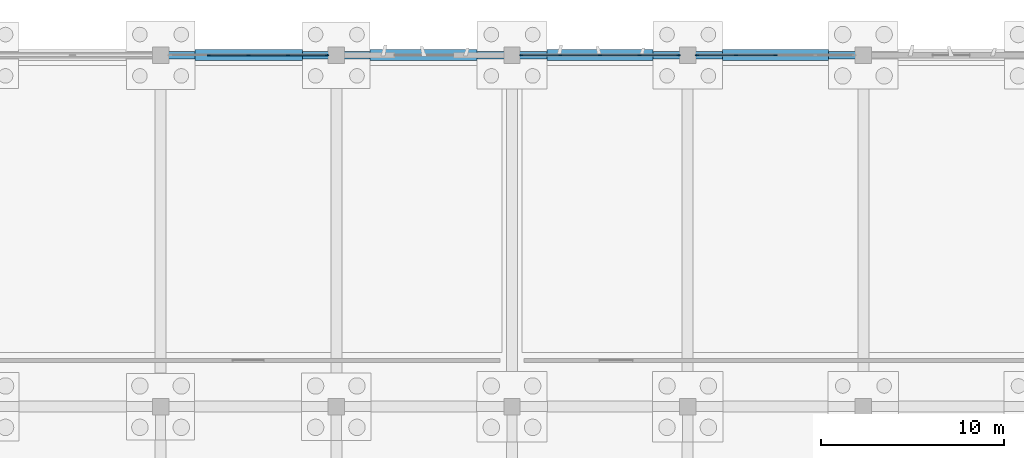
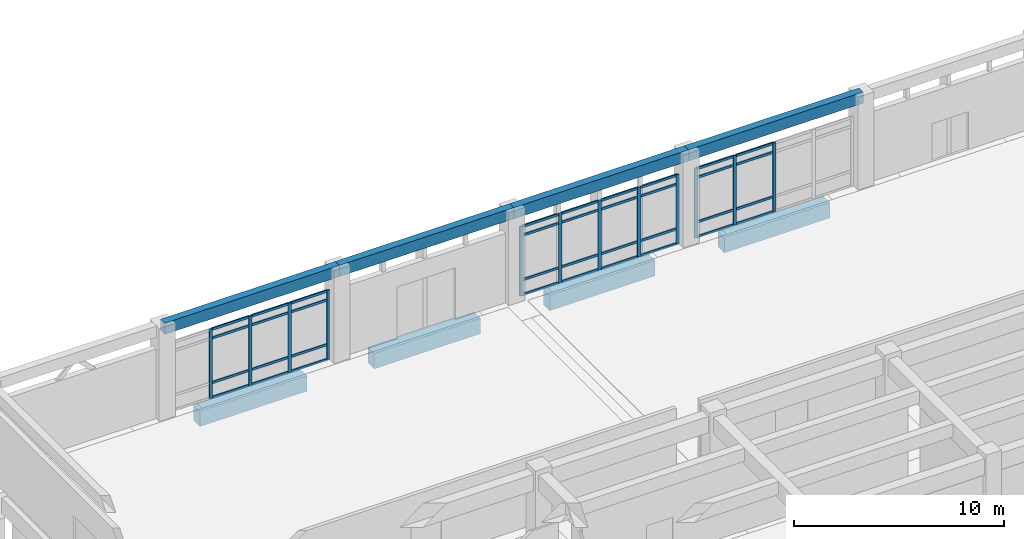
# One storey, part 36 of 102: 48 members, 8 beams, 3 elements without a shape of their own.
"""IFC4 building model written with IfcOpenShell, lengths in metres."""

from ifc_helpers import new_model, si_unit, direction, frame, origin, origin_2d, place, context, subcontext, project, spatial, rectangle, extrude, material, layer, layer_set, material_profile, profile_set, type_object, element, aggregate, save


model = new_model("IFC4")

# Units and contexts
model_context = context("Model", 3, precision=1e-05, world=origin(), true_north=direction((0.0, 1.0)))
body_context = subcontext(model_context, "Body", "Model", "MODEL_VIEW")
ifc_project = project(units=[si_unit("LENGTHUNIT", "METRE"), si_unit("AREAUNIT", "SQUARE_METRE"), si_unit("VOLUMEUNIT", "CUBIC_METRE"), si_unit("PLANEANGLEUNIT", "RADIAN"), si_unit("MASSUNIT", "GRAM", prefix="KILO")], contexts=[model_context])

# Site, building, storey
site_placement = place(None, origin())
site = spatial("IfcSite", under=ifc_project, at=site_placement, CompositionType="ELEMENT")
building_placement = place(site_placement, origin())
building = spatial("IfcBuilding", under=site, at=building_placement, Name="Kolvemor Railside Polytechnic", CompositionType="ELEMENT")
storey_placement = place(building_placement, origin())
storey = spatial("IfcBuildingStorey", under=building, at=storey_placement, Name="L00", CompositionType="ELEMENT", Elevation=0.0)

# Beams
ifc_material_1 = material(Name="Concrete C40/50", Category="concrete")
ifc_material_profile_1 = material_profile(ifc_material_1, rectangle(XDim=0.39990234375, YDim=0.64990234375, at=origin_2d()), Name="RC400x650")
ifc_profile_set_1 = profile_set([ifc_material_profile_1], Name="Concrete C40/50")
beam_type_1 = type_object("IfcBeamType", Name="BM-RC-EDGE", PredefinedType="LINTEL", material=ifc_profile_set_1)
beam_1_placement = place(storey_placement, frame((28.800048828125, 120.0, 5.074951171875), z_axis=(1.0, 0.0, 0.0), x_axis=(0.0, 1.0, 0.0)))
element("IfcBeam", 1, at=beam_1_placement, inside=storey, type_object=beam_type_1, Name="Workshop L01 Spandrel 2010", PredefinedType="LINTEL", context=body_context, shape_type="SweptSolid", body=[
    extrude(rectangle(XDim=0.39990234375, YDim=0.64990234375, at=origin_2d()), origin(), (0.0, 0.0, 1.0), 9.599853515625),
])
for number, where, z_axis, x_axis, name in (
    (2, (38.39990234375, 120.0, 5.074951171875), (1.0, 0.0, 0.0), (0.0, 1.0, 0.0), "Workshop L01 Spandrel 2011"),
    (3, (48.0, 120.0, 5.074951171875), (1.0, 0.0, 0.0), (0.0, 1.0, 0.0), "Workshop L01 Spandrel 2012"),
):
    element("IfcBeam", number, at=place(storey_placement, frame(where, z_axis=z_axis, x_axis=x_axis)), inside=storey, type_object=beam_type_1, Name=name, PredefinedType="LINTEL", context=body_context, shape_type="SweptSolid", body=[
        extrude(rectangle(XDim=0.39990234375, YDim=0.64990234375, at=origin_2d()), origin(), (0.0, 0.0, 1.0), 9.60009765625),
    ])
beam_2_placement = place(storey_placement, frame((57.60009765625, 120.0, 5.074951171875), z_axis=(1.0, 0.0, 0.0), x_axis=(0.0, 1.0, 0.0)))
element("IfcBeam", 4, at=beam_2_placement, inside=storey, type_object=beam_type_1, Name="Workshop L01 Spandrel 2013", PredefinedType="LINTEL", context=body_context, shape_type="SweptSolid", body=[
    extrude(rectangle(XDim=0.39990234375, YDim=0.64990234375, at=origin_2d()), origin(), (0.0, 0.0, 1.0), 9.599853515625),
])
ifc_material_2 = material(Name="Concrete C40/50", Category="concrete")
ifc_material_profile_2 = material_profile(ifc_material_2, rectangle(XDim=0.60009765625, YDim=0.89990234375, at=origin_2d()), Name="RC600x900")
ifc_profile_set_2 = profile_set([ifc_material_profile_2], Name="Concrete C40/50")
beam_type_2 = type_object("IfcBeamType", Name="BM-RC-TIE", PredefinedType="BEAM", material=ifc_profile_set_2)
beam_3_placement = place(storey_placement, frame((30.677001953125, 120.0, -0.75), z_axis=(1.0, 0.0, 0.0), x_axis=(0.0, 1.0, 0.0)))
element("IfcBeam", 5, at=beam_3_placement, inside=storey, type_object=beam_type_2, Name="Ground Tie Beam GTB-X215", PredefinedType="BEAM", context=body_context, shape_type="SweptSolid", body=[
    extrude(rectangle(XDim=0.60009765625, YDim=0.89990234375, at=origin_2d()), origin(), (0.0, 0.0, 1.0), 5.87109375),
])
beam_4_placement = place(storey_placement, frame((40.251953125, 120.0, -0.75), z_axis=(1.0, 0.0, 0.0), x_axis=(0.0, 1.0, 0.0)))
element("IfcBeam", 6, at=beam_4_placement, inside=storey, type_object=beam_type_2, Name="Ground Tie Beam GTB-X216", PredefinedType="BEAM", context=body_context, shape_type="SweptSolid", body=[
    extrude(rectangle(XDim=0.60009765625, YDim=0.89990234375, at=origin_2d()), origin(), (0.0, 0.0, 1.0), 5.845947265625),
])
beam_5_placement = place(storey_placement, frame((49.902099609375, 120.0, -0.75), z_axis=(1.0, 0.0, 0.0), x_axis=(0.0, 1.0, 0.0)))
element("IfcBeam", 7, at=beam_5_placement, inside=storey, type_object=beam_type_2, Name="Ground Tie Beam GTB-X217", PredefinedType="BEAM", context=body_context, shape_type="SweptSolid", body=[
    extrude(rectangle(XDim=0.60009765625, YDim=0.89990234375, at=origin_2d()), origin(), (0.0, 0.0, 1.0), 5.7958984375),
])
beam_6_placement = place(storey_placement, frame((59.501953125, 120.0, -0.75), z_axis=(1.0, 0.0, 0.0), x_axis=(0.0, 1.0, 0.0)))
element("IfcBeam", 8, at=beam_6_placement, inside=storey, type_object=beam_type_2, Name="Ground Tie Beam GTB-X218", PredefinedType="BEAM", context=body_context, shape_type="SweptSolid", body=[
    extrude(rectangle(XDim=0.60009765625, YDim=0.89990234375, at=origin_2d()), origin(), (0.0, 0.0, 1.0), 5.796142578125),
])

# Curtain wall, members
ifc_material_3 = material(Name="Anodised marine aluminium and laminated low-E glass", Category="aluminium")
ifc_layer = layer(ifc_material_3, 0.179931640625, Name="CW-UNIT-WKS")
ifc_layer_set = layer_set([ifc_layer], Name="Anodised marine aluminium and laminated low-E glass")
curtain_wall_type = type_object("IfcCurtainWallType", Name="CW-UNIT-WKS", PredefinedType="USERDEFINED", material=ifc_layer_set)
curtain_wall_1_placement = place(storey_placement, origin())
curtain_wall_1 = element("IfcCurtainWall", 9, at=curtain_wall_1_placement, inside=storey, type_object=curtain_wall_type, Name="Curtain Wall L00-001", ObjectType="UNITISED CURTAIN WALL", PredefinedType="USERDEFINED")
ifc_material_4 = material(Name="Anodised marine aluminium 6063-T6", Category="aluminium")
ifc_material_profile_3 = material_profile(ifc_material_4, rectangle(XDim=0.074951171875, YDim=0.179931640625, at=origin_2d()), Name="CW-MUL-75x180")
ifc_profile_set_3 = profile_set([ifc_material_profile_3], Name="Anodised marine aluminium 6063-T6")
member_type_1 = type_object("IfcMemberType", Name="CWM-75x180", PredefinedType="MULLION", material=ifc_profile_set_3)
member_1_placement = place(storey_placement, frame((37.892578125, 120.0, 0.0), z_axis=(0.0, 0.0, 1.0), x_axis=(0.0, -1.0, 0.0)))
member_1 = element("IfcMember", 10, at=member_1_placement, type_object=member_type_1, Name="CW-WKS mullion 1", PredefinedType="MULLION", context=body_context, shape_type="SweptSolid", body=[
    extrude(rectangle(XDim=0.074951171875, YDim=0.179931640625, at=origin_2d()), origin(), (0.0, 0.0, 1.0), 4.0400390625),
])
member_2_placement = place(storey_placement, frame((35.764892578125, 120.0, 0.0), z_axis=(0.0, 0.0, 1.0), x_axis=(0.0, -1.0, 0.0)))
member_2 = element("IfcMember", 11, at=member_2_placement, type_object=member_type_1, Name="CW-WKS mullion 2", PredefinedType="MULLION", context=body_context, shape_type="SweptSolid", body=[
    extrude(rectangle(XDim=0.074951171875, YDim=0.179931640625, at=origin_2d()), origin(), (0.0, 0.0, 1.0), 4.0400390625),
])
member_3_placement = place(storey_placement, frame((33.60009765625, 120.0, 0.0), z_axis=(0.0, 0.0, 1.0), x_axis=(0.0, -1.0, 0.0)))
member_3 = element("IfcMember", 12, at=member_3_placement, type_object=member_type_1, Name="CW-WKS mullion 3", PredefinedType="MULLION", context=body_context, shape_type="SweptSolid", body=[
    extrude(rectangle(XDim=0.074951171875, YDim=0.179931640625, at=origin_2d()), origin(), (0.0, 0.0, 1.0), 4.0400390625),
])
member_4_placement = place(storey_placement, frame((31.43505859375, 120.0, 0.0), z_axis=(0.0, 0.0, 1.0), x_axis=(0.0, -1.0, 0.0)))
member_4 = element("IfcMember", 13, at=member_4_placement, type_object=member_type_1, Name="CW-WKS mullion 4", PredefinedType="MULLION", context=body_context, shape_type="SweptSolid", body=[
    extrude(rectangle(XDim=0.074951171875, YDim=0.179931640625, at=origin_2d()), origin(), (0.0, 0.0, 1.0), 4.0400390625),
])

curtain_wall_2_placement = place(storey_placement, origin())
curtain_wall_2 = element("IfcCurtainWall", 14, at=curtain_wall_2_placement, inside=storey, type_object=curtain_wall_type, Name="Curtain Wall L00-004", ObjectType="UNITISED CURTAIN WALL", PredefinedType="USERDEFINED")
member_5_placement = place(storey_placement, frame((57.092529296875, 120.0, 0.0), z_axis=(0.0, 0.0, 1.0), x_axis=(0.0, -1.0, 0.0)))
member_5 = element("IfcMember", 15, at=member_5_placement, type_object=member_type_1, Name="CW-WKS mullion 1", PredefinedType="MULLION", context=body_context, shape_type="SweptSolid", body=[
    extrude(rectangle(XDim=0.074951171875, YDim=0.179931640625, at=origin_2d()), origin(), (0.0, 0.0, 1.0), 4.0400390625),
])
member_6_placement = place(storey_placement, frame((54.965087890625, 120.0, 0.0), z_axis=(0.0, 0.0, 1.0), x_axis=(0.0, -1.0, 0.0)))
member_6 = element("IfcMember", 16, at=member_6_placement, type_object=member_type_1, Name="CW-WKS mullion 2", PredefinedType="MULLION", context=body_context, shape_type="SweptSolid", body=[
    extrude(rectangle(XDim=0.074951171875, YDim=0.179931640625, at=origin_2d()), origin(), (0.0, 0.0, 1.0), 4.0400390625),
])
member_7_placement = place(storey_placement, frame((52.800048828125, 120.0, 0.0), z_axis=(0.0, 0.0, 1.0), x_axis=(0.0, -1.0, 0.0)))
member_7 = element("IfcMember", 17, at=member_7_placement, type_object=member_type_1, Name="CW-WKS mullion 3", PredefinedType="MULLION", context=body_context, shape_type="SweptSolid", body=[
    extrude(rectangle(XDim=0.074951171875, YDim=0.179931640625, at=origin_2d()), origin(), (0.0, 0.0, 1.0), 4.0400390625),
])
member_8_placement = place(storey_placement, frame((50.635009765625, 120.0, 0.0), z_axis=(0.0, 0.0, 1.0), x_axis=(0.0, -1.0, 0.0)))
member_8 = element("IfcMember", 18, at=member_8_placement, type_object=member_type_1, Name="CW-WKS mullion 4", PredefinedType="MULLION", context=body_context, shape_type="SweptSolid", body=[
    extrude(rectangle(XDim=0.074951171875, YDim=0.179931640625, at=origin_2d()), origin(), (0.0, 0.0, 1.0), 4.0400390625),
])
member_9_placement = place(storey_placement, frame((48.507568359375, 120.0, 0.0), z_axis=(0.0, 0.0, 1.0), x_axis=(0.0, -1.0, 0.0)))
member_9 = element("IfcMember", 19, at=member_9_placement, type_object=member_type_1, Name="CW-WKS mullion 5", PredefinedType="MULLION", context=body_context, shape_type="SweptSolid", body=[
    extrude(rectangle(XDim=0.074951171875, YDim=0.179931640625, at=origin_2d()), origin(), (0.0, 0.0, 1.0), 4.0400390625),
])

curtain_wall_3_placement = place(storey_placement, origin())
curtain_wall_3 = element("IfcCurtainWall", 20, at=curtain_wall_3_placement, inside=storey, type_object=curtain_wall_type, Name="Curtain Wall L00-007", ObjectType="UNITISED CURTAIN WALL", PredefinedType="USERDEFINED")
member_10_placement = place(storey_placement, frame((62.39990234375, 120.0, 0.0), z_axis=(0.0, 0.0, 1.0), x_axis=(0.0, -1.0, 0.0)))
member_10 = element("IfcMember", 21, at=member_10_placement, type_object=member_type_1, Name="CW-WKS mullion 3", PredefinedType="MULLION", context=body_context, shape_type="SweptSolid", body=[
    extrude(rectangle(XDim=0.074951171875, YDim=0.179931640625, at=origin_2d()), origin(), (0.0, 0.0, 1.0), 4.0400390625),
])
member_11_placement = place(storey_placement, frame((60.235107421875, 120.0, 0.0), z_axis=(0.0, 0.0, 1.0), x_axis=(0.0, -1.0, 0.0)))
member_11 = element("IfcMember", 22, at=member_11_placement, type_object=member_type_1, Name="CW-WKS mullion 4", PredefinedType="MULLION", context=body_context, shape_type="SweptSolid", body=[
    extrude(rectangle(XDim=0.074951171875, YDim=0.179931640625, at=origin_2d()), origin(), (0.0, 0.0, 1.0), 4.0400390625),
])
member_12_placement = place(storey_placement, frame((58.107421875, 120.0, 0.0), z_axis=(0.0, 0.0, 1.0), x_axis=(0.0, -1.0, 0.0)))
member_12 = element("IfcMember", 23, at=member_12_placement, type_object=member_type_1, Name="CW-WKS mullion 5", PredefinedType="MULLION", context=body_context, shape_type="SweptSolid", body=[
    extrude(rectangle(XDim=0.074951171875, YDim=0.179931640625, at=origin_2d()), origin(), (0.0, 0.0, 1.0), 4.0400390625),
])

# Member
ifc_material_5 = material(Name="Anodised marine aluminium 6063-T6", Category="aluminium")
ifc_material_profile_4 = material_profile(ifc_material_5, rectangle(XDim=0.074951171875, YDim=0.139892578125, at=origin_2d()), Name="CW-TRN-75x140")
ifc_profile_set_4 = profile_set([ifc_material_profile_4], Name="Anodised marine aluminium 6063-T6")
member_type_2 = type_object("IfcMemberType", Name="CWT-75x140", PredefinedType="USERDEFINED", material=ifc_profile_set_4)
member_13_placement = place(storey_placement, frame((37.85498046875, 120.0, 0.03759765625), z_axis=(-1.0, 0.0, 0.0), x_axis=(0.0, -1.0, 0.0)))
member_13 = element("IfcMember", 24, at=member_13_placement, type_object=member_type_2, Name="CW-WKS transom 1.1", ObjectType="TRANSOM", PredefinedType="USERDEFINED", context=body_context, shape_type="SweptSolid", body=[
    extrude(rectangle(XDim=0.074951171875, YDim=0.139892578125, at=origin_2d()), origin(), (0.0, 0.0, 1.0), 2.052490234375),
])

member_14_placement = place(storey_placement, frame((37.85498046875, 120.0, 0.89990234375), z_axis=(-1.0, 0.0, 0.0), x_axis=(0.0, -1.0, 0.0)))
member_14 = element("IfcMember", 25, at=member_14_placement, type_object=member_type_2, Name="CW-WKS transom 1.2", ObjectType="TRANSOM", PredefinedType="USERDEFINED", context=body_context, shape_type="SweptSolid", body=[
    extrude(rectangle(XDim=0.074951171875, YDim=0.139892578125, at=origin_2d()), origin(), (0.0, 0.0, 1.0), 2.052490234375),
])

member_15_placement = place(storey_placement, frame((37.85498046875, 120.0, 3.489990234375), z_axis=(-1.0, 0.0, 0.0), x_axis=(0.0, -1.0, 0.0)))
member_15 = element("IfcMember", 26, at=member_15_placement, type_object=member_type_2, Name="CW-WKS transom 1.3", ObjectType="TRANSOM", PredefinedType="USERDEFINED", context=body_context, shape_type="SweptSolid", body=[
    extrude(rectangle(XDim=0.074951171875, YDim=0.139892578125, at=origin_2d()), origin(), (0.0, 0.0, 1.0), 2.052490234375),
])

member_16_placement = place(storey_placement, frame((37.85498046875, 120.0, 4.00244140625), z_axis=(-1.0, 0.0, 0.0), x_axis=(0.0, -1.0, 0.0)))
member_16 = element("IfcMember", 27, at=member_16_placement, type_object=member_type_2, Name="CW-WKS transom 1.4", ObjectType="TRANSOM", PredefinedType="USERDEFINED", context=body_context, shape_type="SweptSolid", body=[
    extrude(rectangle(XDim=0.074951171875, YDim=0.139892578125, at=origin_2d()), origin(), (0.0, 0.0, 1.0), 2.052490234375),
])

member_17_placement = place(storey_placement, frame((35.7275390625, 120.0, 0.03759765625), z_axis=(-1.0, 0.0, 0.0), x_axis=(0.0, -1.0, 0.0)))
member_17 = element("IfcMember", 28, at=member_17_placement, type_object=member_type_2, Name="CW-WKS transom 2.1", ObjectType="TRANSOM", PredefinedType="USERDEFINED", context=body_context, shape_type="SweptSolid", body=[
    extrude(rectangle(XDim=0.074951171875, YDim=0.139892578125, at=origin_2d()), origin(), (0.0, 0.0, 1.0), 2.090087890625),
])

member_18_placement = place(storey_placement, frame((35.7275390625, 120.0, 0.89990234375), z_axis=(-1.0, 0.0, 0.0), x_axis=(0.0, -1.0, 0.0)))
member_18 = element("IfcMember", 29, at=member_18_placement, type_object=member_type_2, Name="CW-WKS transom 2.2", ObjectType="TRANSOM", PredefinedType="USERDEFINED", context=body_context, shape_type="SweptSolid", body=[
    extrude(rectangle(XDim=0.074951171875, YDim=0.139892578125, at=origin_2d()), origin(), (0.0, 0.0, 1.0), 2.090087890625),
])

member_19_placement = place(storey_placement, frame((35.7275390625, 120.0, 3.489990234375), z_axis=(-1.0, 0.0, 0.0), x_axis=(0.0, -1.0, 0.0)))
member_19 = element("IfcMember", 30, at=member_19_placement, type_object=member_type_2, Name="CW-WKS transom 2.3", ObjectType="TRANSOM", PredefinedType="USERDEFINED", context=body_context, shape_type="SweptSolid", body=[
    extrude(rectangle(XDim=0.074951171875, YDim=0.139892578125, at=origin_2d()), origin(), (0.0, 0.0, 1.0), 2.090087890625),
])

member_20_placement = place(storey_placement, frame((35.7275390625, 120.0, 4.00244140625), z_axis=(-1.0, 0.0, 0.0), x_axis=(0.0, -1.0, 0.0)))
member_20 = element("IfcMember", 31, at=member_20_placement, type_object=member_type_2, Name="CW-WKS transom 2.4", ObjectType="TRANSOM", PredefinedType="USERDEFINED", context=body_context, shape_type="SweptSolid", body=[
    extrude(rectangle(XDim=0.074951171875, YDim=0.139892578125, at=origin_2d()), origin(), (0.0, 0.0, 1.0), 2.090087890625),
])

member_21_placement = place(storey_placement, frame((33.5625, 120.0, 0.03759765625), z_axis=(-1.0, 0.0, 0.0), x_axis=(0.0, -1.0, 0.0)))
member_21 = element("IfcMember", 32, at=member_21_placement, type_object=member_type_2, Name="CW-WKS transom 3.1", ObjectType="TRANSOM", PredefinedType="USERDEFINED", context=body_context, shape_type="SweptSolid", body=[
    extrude(rectangle(XDim=0.074951171875, YDim=0.139892578125, at=origin_2d()), origin(), (0.0, 0.0, 1.0), 2.090087890625),
])

member_22_placement = place(storey_placement, frame((33.5625, 120.0, 0.89990234375), z_axis=(-1.0, 0.0, 0.0), x_axis=(0.0, -1.0, 0.0)))
member_22 = element("IfcMember", 33, at=member_22_placement, type_object=member_type_2, Name="CW-WKS transom 3.2", ObjectType="TRANSOM", PredefinedType="USERDEFINED", context=body_context, shape_type="SweptSolid", body=[
    extrude(rectangle(XDim=0.074951171875, YDim=0.139892578125, at=origin_2d()), origin(), (0.0, 0.0, 1.0), 2.090087890625),
])

member_23_placement = place(storey_placement, frame((33.5625, 120.0, 3.489990234375), z_axis=(-1.0, 0.0, 0.0), x_axis=(0.0, -1.0, 0.0)))
member_23 = element("IfcMember", 34, at=member_23_placement, type_object=member_type_2, Name="CW-WKS transom 3.3", ObjectType="TRANSOM", PredefinedType="USERDEFINED", context=body_context, shape_type="SweptSolid", body=[
    extrude(rectangle(XDim=0.074951171875, YDim=0.139892578125, at=origin_2d()), origin(), (0.0, 0.0, 1.0), 2.090087890625),
])

member_24_placement = place(storey_placement, frame((33.5625, 120.0, 4.00244140625), z_axis=(-1.0, 0.0, 0.0), x_axis=(0.0, -1.0, 0.0)))
member_24 = element("IfcMember", 35, at=member_24_placement, type_object=member_type_2, Name="CW-WKS transom 3.4", ObjectType="TRANSOM", PredefinedType="USERDEFINED", context=body_context, shape_type="SweptSolid", body=[
    extrude(rectangle(XDim=0.074951171875, YDim=0.139892578125, at=origin_2d()), origin(), (0.0, 0.0, 1.0), 2.090087890625),
])

aggregate(curtain_wall_1, [member_1, member_2, member_3, member_4, member_13, member_14, member_15, member_16, member_17, member_18, member_19, member_20, member_21, member_22, member_23, member_24])

member_25_placement = place(storey_placement, frame((57.054931640625, 120.0, 0.03759765625), z_axis=(-1.0, 0.0, 0.0), x_axis=(0.0, -1.0, 0.0)))
member_25 = element("IfcMember", 36, at=member_25_placement, type_object=member_type_2, Name="CW-WKS transom 1.1", ObjectType="TRANSOM", PredefinedType="USERDEFINED", context=body_context, shape_type="SweptSolid", body=[
    extrude(rectangle(XDim=0.074951171875, YDim=0.139892578125, at=origin_2d()), origin(), (0.0, 0.0, 1.0), 2.052490234375),
])

member_26_placement = place(storey_placement, frame((57.054931640625, 120.0, 0.89990234375), z_axis=(-1.0, 0.0, 0.0), x_axis=(0.0, -1.0, 0.0)))
member_26 = element("IfcMember", 37, at=member_26_placement, type_object=member_type_2, Name="CW-WKS transom 1.2", ObjectType="TRANSOM", PredefinedType="USERDEFINED", context=body_context, shape_type="SweptSolid", body=[
    extrude(rectangle(XDim=0.074951171875, YDim=0.139892578125, at=origin_2d()), origin(), (0.0, 0.0, 1.0), 2.052490234375),
])

member_27_placement = place(storey_placement, frame((57.054931640625, 120.0, 3.489990234375), z_axis=(-1.0, 0.0, 0.0), x_axis=(0.0, -1.0, 0.0)))
member_27 = element("IfcMember", 38, at=member_27_placement, type_object=member_type_2, Name="CW-WKS transom 1.3", ObjectType="TRANSOM", PredefinedType="USERDEFINED", context=body_context, shape_type="SweptSolid", body=[
    extrude(rectangle(XDim=0.074951171875, YDim=0.139892578125, at=origin_2d()), origin(), (0.0, 0.0, 1.0), 2.052490234375),
])

member_28_placement = place(storey_placement, frame((57.054931640625, 120.0, 4.00244140625), z_axis=(-1.0, 0.0, 0.0), x_axis=(0.0, -1.0, 0.0)))
member_28 = element("IfcMember", 39, at=member_28_placement, type_object=member_type_2, Name="CW-WKS transom 1.4", ObjectType="TRANSOM", PredefinedType="USERDEFINED", context=body_context, shape_type="SweptSolid", body=[
    extrude(rectangle(XDim=0.074951171875, YDim=0.139892578125, at=origin_2d()), origin(), (0.0, 0.0, 1.0), 2.052490234375),
])

member_29_placement = place(storey_placement, frame((54.927490234375, 120.0, 0.03759765625), z_axis=(-1.0, 0.0, 0.0), x_axis=(0.0, -1.0, 0.0)))
member_29 = element("IfcMember", 40, at=member_29_placement, type_object=member_type_2, Name="CW-WKS transom 2.1", ObjectType="TRANSOM", PredefinedType="USERDEFINED", context=body_context, shape_type="SweptSolid", body=[
    extrude(rectangle(XDim=0.074951171875, YDim=0.139892578125, at=origin_2d()), origin(), (0.0, 0.0, 1.0), 2.090087890625),
])

member_30_placement = place(storey_placement, frame((54.927490234375, 120.0, 0.89990234375), z_axis=(-1.0, 0.0, 0.0), x_axis=(0.0, -1.0, 0.0)))
member_30 = element("IfcMember", 41, at=member_30_placement, type_object=member_type_2, Name="CW-WKS transom 2.2", ObjectType="TRANSOM", PredefinedType="USERDEFINED", context=body_context, shape_type="SweptSolid", body=[
    extrude(rectangle(XDim=0.074951171875, YDim=0.139892578125, at=origin_2d()), origin(), (0.0, 0.0, 1.0), 2.090087890625),
])

member_31_placement = place(storey_placement, frame((54.927490234375, 120.0, 3.489990234375), z_axis=(-1.0, 0.0, 0.0), x_axis=(0.0, -1.0, 0.0)))
member_31 = element("IfcMember", 42, at=member_31_placement, type_object=member_type_2, Name="CW-WKS transom 2.3", ObjectType="TRANSOM", PredefinedType="USERDEFINED", context=body_context, shape_type="SweptSolid", body=[
    extrude(rectangle(XDim=0.074951171875, YDim=0.139892578125, at=origin_2d()), origin(), (0.0, 0.0, 1.0), 2.090087890625),
])

member_32_placement = place(storey_placement, frame((54.927490234375, 120.0, 4.00244140625), z_axis=(-1.0, 0.0, 0.0), x_axis=(0.0, -1.0, 0.0)))
member_32 = element("IfcMember", 43, at=member_32_placement, type_object=member_type_2, Name="CW-WKS transom 2.4", ObjectType="TRANSOM", PredefinedType="USERDEFINED", context=body_context, shape_type="SweptSolid", body=[
    extrude(rectangle(XDim=0.074951171875, YDim=0.139892578125, at=origin_2d()), origin(), (0.0, 0.0, 1.0), 2.090087890625),
])

member_33_placement = place(storey_placement, frame((52.762451171875, 120.0, 0.03759765625), z_axis=(-1.0, 0.0, 0.0), x_axis=(0.0, -1.0, 0.0)))
member_33 = element("IfcMember", 44, at=member_33_placement, type_object=member_type_2, Name="CW-WKS transom 3.1", ObjectType="TRANSOM", PredefinedType="USERDEFINED", context=body_context, shape_type="SweptSolid", body=[
    extrude(rectangle(XDim=0.074951171875, YDim=0.139892578125, at=origin_2d()), origin(), (0.0, 0.0, 1.0), 2.08984375),
])

member_34_placement = place(storey_placement, frame((52.762451171875, 120.0, 0.89990234375), z_axis=(-1.0, 0.0, 0.0), x_axis=(0.0, -1.0, 0.0)))
member_34 = element("IfcMember", 45, at=member_34_placement, type_object=member_type_2, Name="CW-WKS transom 3.2", ObjectType="TRANSOM", PredefinedType="USERDEFINED", context=body_context, shape_type="SweptSolid", body=[
    extrude(rectangle(XDim=0.074951171875, YDim=0.139892578125, at=origin_2d()), origin(), (0.0, 0.0, 1.0), 2.08984375),
])

member_35_placement = place(storey_placement, frame((52.762451171875, 120.0, 3.489990234375), z_axis=(-1.0, 0.0, 0.0), x_axis=(0.0, -1.0, 0.0)))
member_35 = element("IfcMember", 46, at=member_35_placement, type_object=member_type_2, Name="CW-WKS transom 3.3", ObjectType="TRANSOM", PredefinedType="USERDEFINED", context=body_context, shape_type="SweptSolid", body=[
    extrude(rectangle(XDim=0.074951171875, YDim=0.139892578125, at=origin_2d()), origin(), (0.0, 0.0, 1.0), 2.08984375),
])

member_36_placement = place(storey_placement, frame((52.762451171875, 120.0, 4.00244140625), z_axis=(-1.0, 0.0, 0.0), x_axis=(0.0, -1.0, 0.0)))
member_36 = element("IfcMember", 47, at=member_36_placement, type_object=member_type_2, Name="CW-WKS transom 3.4", ObjectType="TRANSOM", PredefinedType="USERDEFINED", context=body_context, shape_type="SweptSolid", body=[
    extrude(rectangle(XDim=0.074951171875, YDim=0.139892578125, at=origin_2d()), origin(), (0.0, 0.0, 1.0), 2.08984375),
])

member_37_placement = place(storey_placement, frame((50.597412109375, 120.0, 0.03759765625), z_axis=(-1.0, 0.0, 0.0), x_axis=(0.0, -1.0, 0.0)))
member_37 = element("IfcMember", 48, at=member_37_placement, type_object=member_type_2, Name="CW-WKS transom 4.1", ObjectType="TRANSOM", PredefinedType="USERDEFINED", context=body_context, shape_type="SweptSolid", body=[
    extrude(rectangle(XDim=0.074951171875, YDim=0.139892578125, at=origin_2d()), origin(), (0.0, 0.0, 1.0), 2.052490234375),
])

member_38_placement = place(storey_placement, frame((50.597412109375, 120.0, 0.89990234375), z_axis=(-1.0, 0.0, 0.0), x_axis=(0.0, -1.0, 0.0)))
member_38 = element("IfcMember", 49, at=member_38_placement, type_object=member_type_2, Name="CW-WKS transom 4.2", ObjectType="TRANSOM", PredefinedType="USERDEFINED", context=body_context, shape_type="SweptSolid", body=[
    extrude(rectangle(XDim=0.074951171875, YDim=0.139892578125, at=origin_2d()), origin(), (0.0, 0.0, 1.0), 2.052490234375),
])

member_39_placement = place(storey_placement, frame((50.597412109375, 120.0, 3.489990234375), z_axis=(-1.0, 0.0, 0.0), x_axis=(0.0, -1.0, 0.0)))
member_39 = element("IfcMember", 50, at=member_39_placement, type_object=member_type_2, Name="CW-WKS transom 4.3", ObjectType="TRANSOM", PredefinedType="USERDEFINED", context=body_context, shape_type="SweptSolid", body=[
    extrude(rectangle(XDim=0.074951171875, YDim=0.139892578125, at=origin_2d()), origin(), (0.0, 0.0, 1.0), 2.052490234375),
])

member_40_placement = place(storey_placement, frame((50.597412109375, 120.0, 4.00244140625), z_axis=(-1.0, 0.0, 0.0), x_axis=(0.0, -1.0, 0.0)))
member_40 = element("IfcMember", 51, at=member_40_placement, type_object=member_type_2, Name="CW-WKS transom 4.4", ObjectType="TRANSOM", PredefinedType="USERDEFINED", context=body_context, shape_type="SweptSolid", body=[
    extrude(rectangle(XDim=0.074951171875, YDim=0.139892578125, at=origin_2d()), origin(), (0.0, 0.0, 1.0), 2.052490234375),
])

aggregate(curtain_wall_2, [member_5, member_6, member_7, member_8, member_9, member_25, member_26, member_27, member_28, member_29, member_30, member_31, member_32, member_33, member_34, member_35, member_36, member_37, member_38, member_39, member_40])

member_41_placement = place(storey_placement, frame((62.362548828125, 120.0, 0.03759765625), z_axis=(-1.0, 0.0, 0.0), x_axis=(0.0, -1.0, 0.0)))
member_41 = element("IfcMember", 52, at=member_41_placement, type_object=member_type_2, Name="CW-WKS transom 3.1", ObjectType="TRANSOM", PredefinedType="USERDEFINED", context=body_context, shape_type="SweptSolid", body=[
    extrude(rectangle(XDim=0.074951171875, YDim=0.139892578125, at=origin_2d()), origin(), (0.0, 0.0, 1.0), 2.090087890625),
])

member_42_placement = place(storey_placement, frame((62.362548828125, 120.0, 0.89990234375), z_axis=(-1.0, 0.0, 0.0), x_axis=(0.0, -1.0, 0.0)))
member_42 = element("IfcMember", 53, at=member_42_placement, type_object=member_type_2, Name="CW-WKS transom 3.2", ObjectType="TRANSOM", PredefinedType="USERDEFINED", context=body_context, shape_type="SweptSolid", body=[
    extrude(rectangle(XDim=0.074951171875, YDim=0.139892578125, at=origin_2d()), origin(), (0.0, 0.0, 1.0), 2.090087890625),
])

member_43_placement = place(storey_placement, frame((62.362548828125, 120.0, 3.489990234375), z_axis=(-1.0, 0.0, 0.0), x_axis=(0.0, -1.0, 0.0)))
member_43 = element("IfcMember", 54, at=member_43_placement, type_object=member_type_2, Name="CW-WKS transom 3.3", ObjectType="TRANSOM", PredefinedType="USERDEFINED", context=body_context, shape_type="SweptSolid", body=[
    extrude(rectangle(XDim=0.074951171875, YDim=0.139892578125, at=origin_2d()), origin(), (0.0, 0.0, 1.0), 2.090087890625),
])

member_44_placement = place(storey_placement, frame((62.362548828125, 120.0, 4.00244140625), z_axis=(-1.0, 0.0, 0.0), x_axis=(0.0, -1.0, 0.0)))
member_44 = element("IfcMember", 55, at=member_44_placement, type_object=member_type_2, Name="CW-WKS transom 3.4", ObjectType="TRANSOM", PredefinedType="USERDEFINED", context=body_context, shape_type="SweptSolid", body=[
    extrude(rectangle(XDim=0.074951171875, YDim=0.139892578125, at=origin_2d()), origin(), (0.0, 0.0, 1.0), 2.090087890625),
])

member_45_placement = place(storey_placement, frame((60.197509765625, 120.0, 0.03759765625), z_axis=(-1.0, 0.0, 0.0), x_axis=(0.0, -1.0, 0.0)))
member_45 = element("IfcMember", 56, at=member_45_placement, type_object=member_type_2, Name="CW-WKS transom 4.1", ObjectType="TRANSOM", PredefinedType="USERDEFINED", context=body_context, shape_type="SweptSolid", body=[
    extrude(rectangle(XDim=0.074951171875, YDim=0.139892578125, at=origin_2d()), origin(), (0.0, 0.0, 1.0), 2.052490234375),
])

member_46_placement = place(storey_placement, frame((60.197509765625, 120.0, 0.89990234375), z_axis=(-1.0, 0.0, 0.0), x_axis=(0.0, -1.0, 0.0)))
member_46 = element("IfcMember", 57, at=member_46_placement, type_object=member_type_2, Name="CW-WKS transom 4.2", ObjectType="TRANSOM", PredefinedType="USERDEFINED", context=body_context, shape_type="SweptSolid", body=[
    extrude(rectangle(XDim=0.074951171875, YDim=0.139892578125, at=origin_2d()), origin(), (0.0, 0.0, 1.0), 2.052490234375),
])

member_47_placement = place(storey_placement, frame((60.197509765625, 120.0, 3.489990234375), z_axis=(-1.0, 0.0, 0.0), x_axis=(0.0, -1.0, 0.0)))
member_47 = element("IfcMember", 58, at=member_47_placement, type_object=member_type_2, Name="CW-WKS transom 4.3", ObjectType="TRANSOM", PredefinedType="USERDEFINED", context=body_context, shape_type="SweptSolid", body=[
    extrude(rectangle(XDim=0.074951171875, YDim=0.139892578125, at=origin_2d()), origin(), (0.0, 0.0, 1.0), 2.052490234375),
])

member_48_placement = place(storey_placement, frame((60.197509765625, 120.0, 4.00244140625), z_axis=(-1.0, 0.0, 0.0), x_axis=(0.0, -1.0, 0.0)))
member_48 = element("IfcMember", 59, at=member_48_placement, type_object=member_type_2, Name="CW-WKS transom 4.4", ObjectType="TRANSOM", PredefinedType="USERDEFINED", context=body_context, shape_type="SweptSolid", body=[
    extrude(rectangle(XDim=0.074951171875, YDim=0.139892578125, at=origin_2d()), origin(), (0.0, 0.0, 1.0), 2.052490234375),
])

aggregate(curtain_wall_3, [member_10, member_11, member_12, member_41, member_42, member_43, member_44, member_45, member_46, member_47, member_48])

save(model, "model.ifc")
